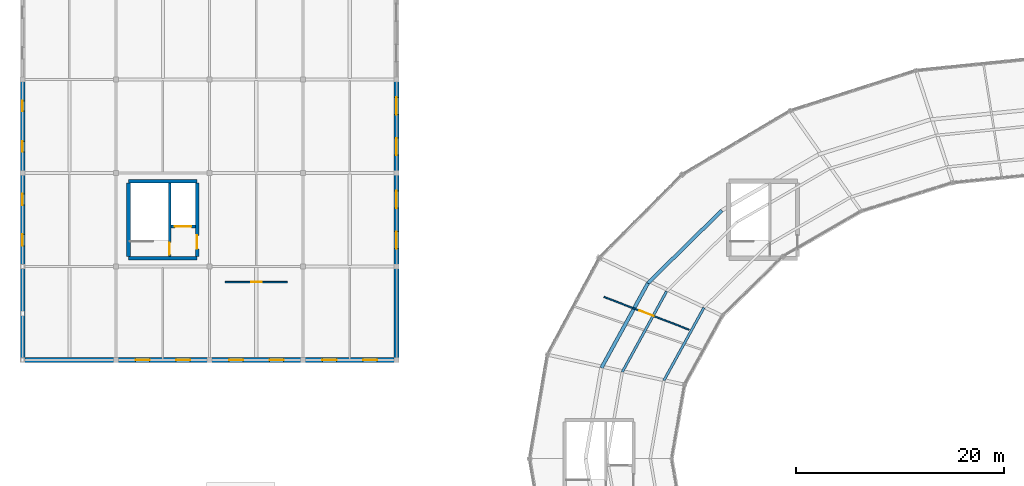
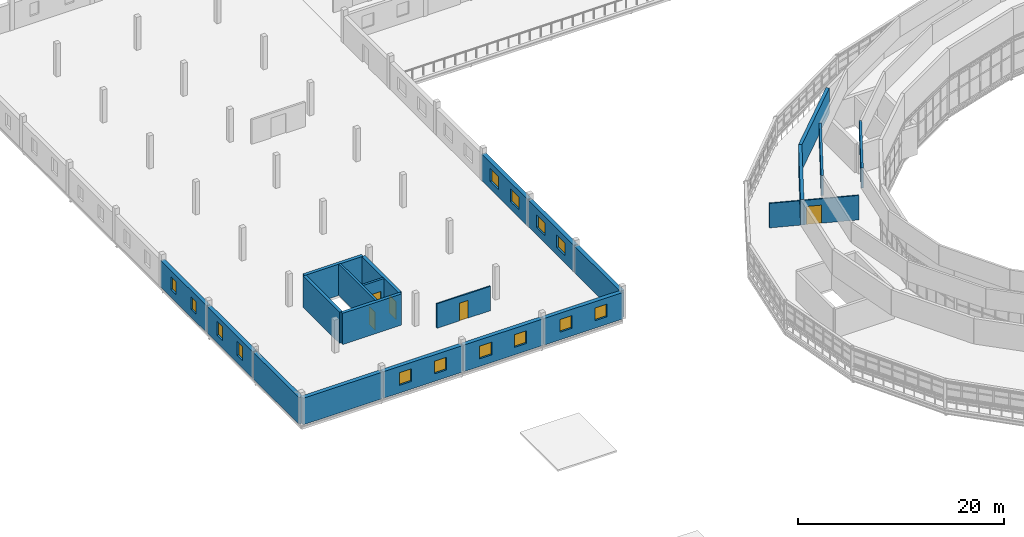
# One storey, part 101 of 123: 22 walls, 14 windows, 5 doors, 19 openings.
"""IFC4 building model written with IfcOpenShell, lengths in metres."""

import ifcopenshell
import ifcopenshell.guid

model = None  # the IFC model being written
_history = None  # IfcOwnerHistory: only IFC2X3 demands one
_inside = {}  # id of a spatial element -> (the spatial element, [elements in it])
_under = {}  # id of a project, library or spatial element -> (it, [spatial elements below it])
_declared = {}  # id of a project -> (the project, [libraries it declares])
_typed = {}  # id of a type object -> (the type object, [elements of that type])
_made_of = {}  # id of a material, layer set ... -> (it, [elements and type objects made of it])


def new_model(schema):
    """Start an empty IFC model of exactly this schema.

    Asked for "IFC4X3", IfcOpenShell would pick the latest addendum, in which some entities
    have other attributes; the version numbers below select the first issue.
    IFC2X3 requires an IfcOwnerHistory on every rooted entity: one is made here for all.
    """
    global model, _history
    if schema == "IFC4X3":
        model = ifcopenshell.file(schema_version=(4, 3, 0, 0))
    else:
        model = ifcopenshell.file(schema=schema)
    _inside.clear()
    _under.clear()
    _declared.clear()
    _typed.clear()
    _made_of.clear()
    _history = None
    if model.schema == "IFC2X3":
        org = make("IfcOrganization", Name="unknown")
        user = make(
            "IfcPersonAndOrganization",
            ThePerson=make("IfcPerson", FamilyName="unknown"),
            TheOrganization=org,
        )
        app = make(
            "IfcApplication",
            ApplicationDeveloper=org,
            Version="unknown",
            ApplicationFullName="unknown",
            ApplicationIdentifier="unknown",
        )
        _history = make(
            "IfcOwnerHistory",
            OwningUser=user,
            OwningApplication=app,
            ChangeAction="ADDED",
            CreationDate=0,
        )
    return model


def make(cls, **values):
    """One entity of the class cls with the attributes given. An attribute that is None is left unset."""
    return model.create_entity(
        cls, **{name: value for name, value in values.items() if value is not None}
    )


def rooted(cls, **values):
    """An entity with a GlobalId (a new one), such as an element, a storey or a relation."""
    return make(cls, GlobalId=ifcopenshell.guid.new(), OwnerHistory=_history, **values)


def si_unit(unit_type, name, prefix=None):
    """IfcSIUnit, for example si_unit("LENGTHUNIT", "METRE", prefix="MILLI")."""
    return make("IfcSIUnit", UnitType=unit_type, Prefix=prefix, Name=name)


def assignment(units):
    """IfcUnitAssignment: the units of a project."""
    return None if units is None else make("IfcUnitAssignment", Units=units)


def point(xyz):
    """IfcCartesianPoint."""
    return None if xyz is None else make("IfcCartesianPoint", Coordinates=xyz)


def direction(xyz):
    """IfcDirection."""
    return None if xyz is None else make("IfcDirection", DirectionRatios=xyz)


def frame(location, z_axis=None, x_axis=None):
    """IfcAxis2Placement3D, a coordinate frame: its origin and axes. An axis left out is left unset."""
    return make(
        "IfcAxis2Placement3D",
        Location=point(location),
        Axis=direction(z_axis),
        RefDirection=direction(x_axis),
    )


def frame_2d(location, x_axis=None):
    """IfcAxis2Placement2D, a coordinate frame in the plane: its origin and x axis."""
    return make(
        "IfcAxis2Placement2D", Location=point(location), RefDirection=direction(x_axis)
    )


def origin():
    """The frame at (0, 0, 0) with its axes left unset."""
    return frame((0.0, 0.0, 0.0))


def place(relative_to, where):
    """IfcLocalPlacement: puts the frame where relative to a parent placement (None: the world)."""
    return make(
        "IfcLocalPlacement", PlacementRelTo=relative_to, RelativePlacement=where
    )


def context(
    kind, dimensions, precision=None, world=None, true_north=None, identifier=None
):
    """IfcGeometricRepresentationContext, for example the 3D "Model" context."""
    return make(
        "IfcGeometricRepresentationContext",
        ContextIdentifier=identifier,
        ContextType=kind,
        CoordinateSpaceDimension=dimensions,
        Precision=precision,
        WorldCoordinateSystem=world,
        TrueNorth=true_north,
    )


def subcontext(parent, identifier, kind, view, scale=None):
    """IfcGeometricRepresentationSubContext, for example "Body" below "Model"."""
    return make(
        "IfcGeometricRepresentationSubContext",
        ContextIdentifier=identifier,
        ContextType=kind,
        ParentContext=parent,
        TargetScale=scale,
        TargetView=view,
    )


def project(units=None, contexts=None):
    """IfcProject with its units and contexts."""
    return rooted(
        "IfcProject",
        Name="project",
        RepresentationContexts=contexts,
        UnitsInContext=assignment(units),
    )


def spatial(cls, under=None, at=None, **own):
    """A site, building, storey or space (cls), placed at a placement, below another one or the project."""
    s = rooted(cls, ObjectPlacement=at, **own)
    if under is not None:
        _under.setdefault(under.id(), (under, []))[1].append(s)
    return s


def profile(cls, at=None, kind="AREA", **sizes):
    """A parametric profile (cls). Its sizes go by their IFC names, for example OverallWidth=200.0."""
    return make(cls, ProfileType=kind, Position=at, **sizes)


def rectangle(**sizes):
    """IfcRectangleProfileDef."""
    return profile("IfcRectangleProfileDef", **sizes)


def extrude(swept, where, along, depth):
    """IfcExtrudedAreaSolid: the profile swept, set in the frame where, extruded along a direction by depth."""
    return make(
        "IfcExtrudedAreaSolid",
        SweptArea=swept,
        Position=where,
        ExtrudedDirection=direction(along),
        Depth=depth,
    )


def shape(context_of_items, identifier, shape_type, items):
    """IfcShapeRepresentation: the items that make up one representation, for example the "Body"."""
    return make(
        "IfcShapeRepresentation",
        ContextOfItems=context_of_items,
        RepresentationIdentifier=identifier,
        RepresentationType=shape_type,
        Items=items,
    )


def material(Name=None, Category=None):
    """IfcMaterial."""
    return make("IfcMaterial", Name=Name, Category=Category)


def layer(
    of_material, thickness, ventilated=None, Name=None, Category=None, Priority=None
):
    """IfcMaterialLayer: one layer of a wall or slab, of a material (None: an air gap)."""
    return make(
        "IfcMaterialLayer",
        Material=of_material,
        LayerThickness=thickness,
        IsVentilated=ventilated,
        Name=Name,
        Category=Category,
        Priority=Priority,
    )


def layer_set(layers, Name=None):
    """IfcMaterialLayerSet."""
    return make("IfcMaterialLayerSet", MaterialLayers=layers, LayerSetName=Name)


def made_of(thing, what):
    """Note that an element or type object is made of a material, layer set ...; save() writes the relation."""
    if what is not None:
        _made_of.setdefault(what.id(), (what, []))[1].append(thing)
    return thing


def type_object(cls, material=None, **own):
    """A type object (cls), such as IfcWallType, which elements share."""
    return made_of(rooted(cls, **own), material)


def element(
    cls,
    number,
    at=None,
    inside=None,
    cuts=None,
    type_object=None,
    material=None,
    context=None,
    identifier="Body",
    shape_type=None,
    held_by="IfcProductDefinitionShape",
    body=None,
    shapes=None,
    **own,
):
    """One element of the class cls, such as IfcWall. Its Tag is "e" and its number.

    at: its placement. inside: the storey or other place that contains it. cuts: it is an
    opening in that element (IfcRelVoidsElement). A single representation is given by context,
    identifier, shape_type and body (its items); several are given by shapes. held_by: the class
    of the entity that holds the representations. save() writes the other relations.
    """
    e = rooted(cls, Tag="e%d" % number, ObjectPlacement=at, **own)
    if body is not None:
        shapes = [shape(context, identifier, shape_type, body)]
    if shapes is not None:
        e.Representation = make(held_by, Representations=shapes)
    if inside is not None:
        _inside.setdefault(inside.id(), (inside, []))[1].append(e)
    if cuts is not None:
        rooted(
            "IfcRelVoidsElement", RelatingBuildingElement=cuts, RelatedOpeningElement=e
        )
    if type_object is not None:
        _typed.setdefault(type_object.id(), (type_object, []))[1].append(e)
    return made_of(e, material)


def fill(opening, filler):
    """IfcRelFillsElement: the door or window that sits in an opening."""
    return rooted(
        "IfcRelFillsElement",
        RelatingOpeningElement=opening,
        RelatedBuildingElement=filler,
    )


def aggregate(whole, parts):
    """IfcRelAggregates: a whole, such as a stair, and the parts it consists of."""
    return rooted("IfcRelAggregates", RelatingObject=whole, RelatedObjects=parts)


def save(model, path):
    """Write the relations noted so far, then the file.

    IfcRelAggregates (storeys below a building ...), IfcRelContainedInSpatialStructure (elements
    in a storey), IfcRelDefinesByType, IfcRelAssociatesMaterial and IfcRelDeclares: one each for
    every whole, place, type object, material and project.
    """
    for whole, parts in _under.values():
        aggregate(whole, parts)
    for where, things in _inside.values():
        rooted(
            "IfcRelContainedInSpatialStructure",
            RelatedElements=things,
            RelatingStructure=where,
        )
    for kind, things in _typed.values():
        rooted("IfcRelDefinesByType", RelatedObjects=things, RelatingType=kind)
    for what, things in _made_of.values():
        rooted("IfcRelAssociatesMaterial", RelatedObjects=things, RelatingMaterial=what)
    for by, libraries in _declared.values():
        rooted("IfcRelDeclares", RelatingContext=by, RelatedDefinitions=libraries)
    model.write(path)


model = new_model("IFC4")

# Units and contexts
model_context = context("Model", 3, precision=1e-05, world=origin(), true_north=direction((0.0, 1.0)))
body_context = subcontext(model_context, "Body", "Model", "MODEL_VIEW")
ifc_project = project(units=[si_unit("LENGTHUNIT", "METRE"), si_unit("AREAUNIT", "SQUARE_METRE"), si_unit("VOLUMEUNIT", "CUBIC_METRE"), si_unit("PLANEANGLEUNIT", "RADIAN"), si_unit("MASSUNIT", "GRAM", prefix="KILO")], contexts=[model_context])

# Site, building, storey
site_placement = place(None, origin())
site = spatial("IfcSite", under=ifc_project, at=site_placement, CompositionType="ELEMENT")
building_placement = place(site_placement, origin())
building = spatial("IfcBuilding", under=site, at=building_placement, Name="Kildeholm Park Wholesale Market", CompositionType="ELEMENT")
storey_placement = place(building_placement, frame((0.0, 0.0, 9.60009765625)))
storey = spatial("IfcBuildingStorey", under=building, at=storey_placement, Name="L02", CompositionType="ELEMENT", Elevation=9.60009765625)

# Wall
ifc_material_1 = material(Name="Precast concrete C40/50 ripening envelope wall", Category="concrete")
ifc_layer_1 = layer(ifc_material_1, 0.449951171875)
ifc_layer_set_1 = layer_set([ifc_layer_1], Name="Precast concrete C40/50 ripening envelope wall")
wall_type_1 = type_object("IfcWallType", Name="Exterior wall W-CS3 450 mm", PredefinedType="SOLIDWALL", material=ifc_layer_set_1)
wall_1_placement = place(storey_placement, frame((0.0, 99.06005859375, 0.0), z_axis=(0.0, 0.0, 1.0), x_axis=(0.0, 1.0, 0.0)))
element("IfcWall", 1, at=wall_1_placement, inside=storey, type_object=wall_type_1, Name="Exterior wall V4W-L02.1 WL-0393", PredefinedType="SOLIDWALL", context=body_context, shape_type="SweptSolid", body=[
    extrude(rectangle(XDim=8.8798828125, YDim=0.449951171875, at=frame_2d((4.43994140625, 0.0))), origin(), (0.0, 0.0, 1.0), 3.14990234375),
])

# Wall, openings, windows
wall_2_placement = place(storey_placement, frame((0.0, 108.06005859375, 0.0), z_axis=(0.0, 0.0, 1.0), x_axis=(0.0, 1.0, 0.0)))
wall_2 = element("IfcWall", 2, at=wall_2_placement, inside=storey, type_object=wall_type_1, Name="Exterior wall V4W-L02.2 WL-0394", PredefinedType="SOLIDWALL", context=body_context, shape_type="SweptSolid", body=[
    extrude(rectangle(XDim=8.8798828125, YDim=0.449951171875, at=frame_2d((4.43994140625, 0.0))), origin(), (0.0, 0.0, 1.0), 3.14990234375),
])
opening_1_placement = place(wall_2_placement, frame((1.93603515625, 0.0, 0.89990234375)))
opening_1 = element("IfcOpeningElement", 3, at=opening_1_placement, cuts=wall_2, Name="Opening WN-19", PredefinedType="OPENING", context=body_context, shape_type="SweptSolid", body=[
    extrude(rectangle(XDim=1.10009765625, YDim=1.64990234375, at=frame_2d((0.550048828125, 0.824951171875))), frame((0.0, 0.23486328125, 0.0), z_axis=(0.0, -1.0, 0.0), x_axis=(1.0, 0.0, 0.0)), (0.0, 0.0, 1.0), 0.469970703125),
])
opening_2_placement = place(wall_2_placement, frame((5.843994140625, 0.0, 0.89990234375)))
opening_2 = element("IfcOpeningElement", 4, at=opening_2_placement, cuts=wall_2, Name="Opening WN-19", PredefinedType="OPENING", context=body_context, shape_type="SweptSolid", body=[
    extrude(rectangle(XDim=1.10009765625, YDim=1.64990234375, at=frame_2d((0.550048828125, 0.824951171875))), frame((0.0, 0.23486328125, 0.0), z_axis=(0.0, -1.0, 0.0), x_axis=(1.0, 0.0, 0.0)), (0.0, 0.0, 1.0), 0.469970703125),
])
ifc_material_2 = material(Name="Thermally broken aluminium and triple-glazed low-E glass", Category="aluminium")
window_type_1 = type_object("IfcWindowType", Name="Window WN-19 1100x1650", PartitioningType="SINGLE_PANEL", PredefinedType="WINDOW", material=ifc_material_2)
window_1_placement = place(opening_1_placement, origin())
window_1 = element("IfcWindow", 5, at=window_1_placement, inside=storey, type_object=window_type_1, Name="Window V4W-L02.2.1 WIN-0181", OverallHeight=1.64990234375, OverallWidth=1.10009765625, PartitioningType="SINGLE_PANEL", PredefinedType="WINDOW", context=body_context, shape_type="SweptSolid", body=[
    extrude(rectangle(XDim=1.10009765625, YDim=1.64990234375, at=frame_2d((0.550048828125, 0.824951171875))), frame((0.0, 0.030029296875, 0.0), z_axis=(0.0, -1.0, 0.0), x_axis=(1.0, 0.0, 0.0)), (0.0, 0.0, 1.0), 0.06005859375),
])
fill(opening_1, window_1)
window_2_placement = place(opening_2_placement, origin())
window_2 = element("IfcWindow", 6, at=window_2_placement, inside=storey, type_object=window_type_1, Name="Window V4W-L02.2.2 WIN-0182", OverallHeight=1.64990234375, OverallWidth=1.10009765625, PartitioningType="SINGLE_PANEL", PredefinedType="WINDOW", context=body_context, shape_type="SweptSolid", body=[
    extrude(rectangle(XDim=1.10009765625, YDim=1.64990234375, at=frame_2d((0.550048828125, 0.824951171875))), frame((0.0, 0.030029296875, 0.0), z_axis=(0.0, -1.0, 0.0), x_axis=(1.0, 0.0, 0.0)), (0.0, 0.0, 1.0), 0.06005859375),
])
fill(opening_2, window_2)

wall_3_placement = place(storey_placement, frame((0.0, 117.06005859375, 0.0), z_axis=(0.0, 0.0, 1.0), x_axis=(0.0, 1.0, 0.0)))
wall_3 = element("IfcWall", 7, at=wall_3_placement, inside=storey, type_object=wall_type_1, Name="Exterior wall V4W-L02.3 WL-0395", PredefinedType="SOLIDWALL", context=body_context, shape_type="SweptSolid", body=[
    extrude(rectangle(XDim=8.8798828125, YDim=0.449951171875, at=frame_2d((4.43994140625, 0.0))), origin(), (0.0, 0.0, 1.0), 3.14990234375),
])
opening_3_placement = place(wall_3_placement, frame((1.986083984375, 0.0, 0.89990234375)))
opening_3 = element("IfcOpeningElement", 8, at=opening_3_placement, cuts=wall_3, Name="Opening WN-09", PredefinedType="OPENING", context=body_context, shape_type="SweptSolid", body=[
    extrude(rectangle(XDim=1.0, YDim=1.5, at=frame_2d((0.5, 0.75))), frame((0.0, 0.23486328125, 0.0), z_axis=(0.0, -1.0, 0.0), x_axis=(1.0, 0.0, 0.0)), (0.0, 0.0, 1.0), 0.469970703125),
])
opening_4_placement = place(wall_3_placement, frame((5.89404296875, 0.0, 0.89990234375)))
opening_4 = element("IfcOpeningElement", 9, at=opening_4_placement, cuts=wall_3, Name="Opening WN-09", PredefinedType="OPENING", context=body_context, shape_type="SweptSolid", body=[
    extrude(rectangle(XDim=1.0, YDim=1.5, at=frame_2d((0.5, 0.75))), frame((0.0, 0.23486328125, 0.0), z_axis=(0.0, -1.0, 0.0), x_axis=(1.0, 0.0, 0.0)), (0.0, 0.0, 1.0), 0.469970703125),
])
window_type_2 = type_object("IfcWindowType", Name="Window WN-09 1000x1500", PartitioningType="SINGLE_PANEL", PredefinedType="WINDOW", material=ifc_material_2)
window_3_placement = place(opening_3_placement, origin())
window_3 = element("IfcWindow", 10, at=window_3_placement, inside=storey, type_object=window_type_2, Name="Window V4W-L02.3.1 WIN-0183", OverallHeight=1.5, OverallWidth=1.0, PartitioningType="SINGLE_PANEL", PredefinedType="WINDOW", context=body_context, shape_type="SweptSolid", body=[
    extrude(rectangle(XDim=1.0, YDim=1.5, at=frame_2d((0.5, 0.75))), frame((0.0, 0.030029296875, 0.0), z_axis=(0.0, -1.0, 0.0), x_axis=(1.0, 0.0, 0.0)), (0.0, 0.0, 1.0), 0.06005859375),
])
fill(opening_3, window_3)
window_4_placement = place(opening_4_placement, origin())
window_4 = element("IfcWindow", 11, at=window_4_placement, inside=storey, type_object=window_type_2, Name="Window V4W-L02.3.2 WIN-0184", OverallHeight=1.5, OverallWidth=1.0, PartitioningType="SINGLE_PANEL", PredefinedType="WINDOW", context=body_context, shape_type="SweptSolid", body=[
    extrude(rectangle(XDim=1.0, YDim=1.5, at=frame_2d((0.5, 0.75))), frame((0.0, 0.030029296875, 0.0), z_axis=(0.0, -1.0, 0.0), x_axis=(1.0, 0.0, 0.0)), (0.0, 0.0, 1.0), 0.06005859375),
])
fill(opening_4, window_4)

# Wall
wall_4_placement = place(storey_placement, frame((0.06005859375, 99.0, 0.0), z_axis=(0.0, 0.0, 1.0), x_axis=(1.0, 0.0, 0.0)))
element("IfcWall", 12, at=wall_4_placement, inside=storey, type_object=wall_type_1, Name="Exterior wall V4WS-L02.1 WL-0409", PredefinedType="SOLIDWALL", context=body_context, shape_type="SweptSolid", body=[
    extrude(rectangle(XDim=8.8798828125, YDim=0.449951171875, at=frame_2d((4.43994140625, 0.0))), origin(), (0.0, 0.0, 1.0), 3.14990234375),
])

# Wall, openings, windows
wall_5_placement = place(storey_placement, frame((9.06005859375, 99.0, 0.0), z_axis=(0.0, 0.0, 1.0), x_axis=(1.0, 0.0, 0.0)))
wall_5 = element("IfcWall", 13, at=wall_5_placement, inside=storey, type_object=wall_type_1, Name="Exterior wall V4WS-L02.2 WL-0410", PredefinedType="SOLIDWALL", context=body_context, shape_type="SweptSolid", body=[
    extrude(rectangle(XDim=8.8798828125, YDim=0.449951171875, at=frame_2d((4.43994140625, 0.0))), origin(), (0.0, 0.0, 1.0), 3.14990234375),
])
opening_5_placement = place(wall_5_placement, frame((1.81103515625, 0.0, 0.89990234375)))
opening_5 = element("IfcOpeningElement", 14, at=opening_5_placement, cuts=wall_5, Name="Opening WN-10", PredefinedType="OPENING", context=body_context, shape_type="SweptSolid", body=[
    extrude(rectangle(XDim=1.35009765625, YDim=1.5, at=frame_2d((0.675048828125, 0.75))), frame((0.0, 0.23486328125, 0.0), z_axis=(0.0, -1.0, 0.0), x_axis=(1.0, 0.0, 0.0)), (0.0, 0.0, 1.0), 0.469970703125),
])
opening_6_placement = place(wall_5_placement, frame((5.718994140625, 0.0, 0.89990234375)))
opening_6 = element("IfcOpeningElement", 15, at=opening_6_placement, cuts=wall_5, Name="Opening WN-10", PredefinedType="OPENING", context=body_context, shape_type="SweptSolid", body=[
    extrude(rectangle(XDim=1.35009765625, YDim=1.5, at=frame_2d((0.675048828125, 0.75))), frame((0.0, 0.23486328125, 0.0), z_axis=(0.0, -1.0, 0.0), x_axis=(1.0, 0.0, 0.0)), (0.0, 0.0, 1.0), 0.469970703125),
])
window_type_3 = type_object("IfcWindowType", Name="Window WN-10 1350x1500", PartitioningType="SINGLE_PANEL", PredefinedType="WINDOW", material=ifc_material_2)
window_5_placement = place(opening_5_placement, origin())
window_5 = element("IfcWindow", 16, at=window_5_placement, inside=storey, type_object=window_type_3, Name="Window V4WS-L02.2.1 WIN-0201", OverallHeight=1.5, OverallWidth=1.35009765625, PartitioningType="SINGLE_PANEL", PredefinedType="WINDOW", context=body_context, shape_type="SweptSolid", body=[
    extrude(rectangle(XDim=1.35009765625, YDim=1.5, at=frame_2d((0.675048828125, 0.75))), frame((0.0, 0.030029296875, 0.0), z_axis=(0.0, -1.0, 0.0), x_axis=(1.0, 0.0, 0.0)), (0.0, 0.0, 1.0), 0.06005859375),
])
fill(opening_5, window_5)
window_6_placement = place(opening_6_placement, origin())
window_6 = element("IfcWindow", 17, at=window_6_placement, inside=storey, type_object=window_type_3, Name="Window V4WS-L02.2.2 WIN-0202", OverallHeight=1.5, OverallWidth=1.35009765625, PartitioningType="SINGLE_PANEL", PredefinedType="WINDOW", context=body_context, shape_type="SweptSolid", body=[
    extrude(rectangle(XDim=1.35009765625, YDim=1.5, at=frame_2d((0.675048828125, 0.75))), frame((0.0, 0.030029296875, 0.0), z_axis=(0.0, -1.0, 0.0), x_axis=(1.0, 0.0, 0.0)), (0.0, 0.0, 1.0), 0.06005859375),
])
fill(opening_6, window_6)

wall_6_placement = place(storey_placement, frame((18.06005859375, 99.0, 0.0), z_axis=(0.0, 0.0, 1.0), x_axis=(1.0, 0.0, 0.0)))
wall_6 = element("IfcWall", 18, at=wall_6_placement, inside=storey, type_object=wall_type_1, Name="Exterior wall V4WS-L02.3 WL-0411", PredefinedType="SOLIDWALL", context=body_context, shape_type="SweptSolid", body=[
    extrude(rectangle(XDim=8.8798828125, YDim=0.449951171875, at=frame_2d((4.43994140625, 0.0))), origin(), (0.0, 0.0, 1.0), 3.14990234375),
])
opening_7_placement = place(wall_6_placement, frame((1.81103515625, 0.0, 0.89990234375)))
opening_7 = element("IfcOpeningElement", 19, at=opening_7_placement, cuts=wall_6, Name="Opening WN-10", PredefinedType="OPENING", context=body_context, shape_type="SweptSolid", body=[
    extrude(rectangle(XDim=1.35009765625, YDim=1.5, at=frame_2d((0.675048828125, 0.75))), frame((0.0, 0.23486328125, 0.0), z_axis=(0.0, -1.0, 0.0), x_axis=(1.0, 0.0, 0.0)), (0.0, 0.0, 1.0), 0.469970703125),
])
opening_8_placement = place(wall_6_placement, frame((5.718994140625, 0.0, 0.89990234375)))
opening_8 = element("IfcOpeningElement", 20, at=opening_8_placement, cuts=wall_6, Name="Opening WN-10", PredefinedType="OPENING", context=body_context, shape_type="SweptSolid", body=[
    extrude(rectangle(XDim=1.35009765625, YDim=1.5, at=frame_2d((0.675048828125, 0.75))), frame((0.0, 0.23486328125, 0.0), z_axis=(0.0, -1.0, 0.0), x_axis=(1.0, 0.0, 0.0)), (0.0, 0.0, 1.0), 0.469970703125),
])
window_7_placement = place(opening_7_placement, origin())
window_7 = element("IfcWindow", 21, at=window_7_placement, inside=storey, type_object=window_type_3, Name="Window V4WS-L02.3.1 WIN-0203", OverallHeight=1.5, OverallWidth=1.35009765625, PartitioningType="SINGLE_PANEL", PredefinedType="WINDOW", context=body_context, shape_type="SweptSolid", body=[
    extrude(rectangle(XDim=1.35009765625, YDim=1.5, at=frame_2d((0.675048828125, 0.75))), frame((0.0, 0.030029296875, 0.0), z_axis=(0.0, -1.0, 0.0), x_axis=(1.0, 0.0, 0.0)), (0.0, 0.0, 1.0), 0.06005859375),
])
fill(opening_7, window_7)
window_8_placement = place(opening_8_placement, origin())
window_8 = element("IfcWindow", 22, at=window_8_placement, inside=storey, type_object=window_type_3, Name="Window V4WS-L02.3.2 WIN-0204", OverallHeight=1.5, OverallWidth=1.35009765625, PartitioningType="SINGLE_PANEL", PredefinedType="WINDOW", context=body_context, shape_type="SweptSolid", body=[
    extrude(rectangle(XDim=1.35009765625, YDim=1.5, at=frame_2d((0.675048828125, 0.75))), frame((0.0, 0.030029296875, 0.0), z_axis=(0.0, -1.0, 0.0), x_axis=(1.0, 0.0, 0.0)), (0.0, 0.0, 1.0), 0.06005859375),
])
fill(opening_8, window_8)

wall_7_placement = place(storey_placement, frame((27.06005859375, 99.0, 0.0), z_axis=(0.0, 0.0, 1.0), x_axis=(1.0, 0.0, 0.0)))
wall_7 = element("IfcWall", 23, at=wall_7_placement, inside=storey, type_object=wall_type_1, Name="Exterior wall V4WS-L02.4 WL-0412", PredefinedType="SOLIDWALL", context=body_context, shape_type="SweptSolid", body=[
    extrude(rectangle(XDim=8.8798828125, YDim=0.449951171875, at=frame_2d((4.43994140625, 0.0))), origin(), (0.0, 0.0, 1.0), 3.14990234375),
])
opening_9_placement = place(wall_7_placement, frame((1.81103515625, 0.0, 0.89990234375)))
opening_9 = element("IfcOpeningElement", 24, at=opening_9_placement, cuts=wall_7, Name="Opening WN-10", PredefinedType="OPENING", context=body_context, shape_type="SweptSolid", body=[
    extrude(rectangle(XDim=1.35009765625, YDim=1.5, at=frame_2d((0.675048828125, 0.75))), frame((0.0, 0.23486328125, 0.0), z_axis=(0.0, -1.0, 0.0), x_axis=(1.0, 0.0, 0.0)), (0.0, 0.0, 1.0), 0.469970703125),
])
opening_10_placement = place(wall_7_placement, frame((5.718994140625, 0.0, 0.89990234375)))
opening_10 = element("IfcOpeningElement", 25, at=opening_10_placement, cuts=wall_7, Name="Opening WN-10", PredefinedType="OPENING", context=body_context, shape_type="SweptSolid", body=[
    extrude(rectangle(XDim=1.35009765625, YDim=1.5, at=frame_2d((0.675048828125, 0.75))), frame((0.0, 0.23486328125, 0.0), z_axis=(0.0, -1.0, 0.0), x_axis=(1.0, 0.0, 0.0)), (0.0, 0.0, 1.0), 0.469970703125),
])
window_9_placement = place(opening_9_placement, origin())
window_9 = element("IfcWindow", 26, at=window_9_placement, inside=storey, type_object=window_type_3, Name="Window V4WS-L02.4.1 WIN-0205", OverallHeight=1.5, OverallWidth=1.35009765625, PartitioningType="SINGLE_PANEL", PredefinedType="WINDOW", context=body_context, shape_type="SweptSolid", body=[
    extrude(rectangle(XDim=1.35009765625, YDim=1.5, at=frame_2d((0.675048828125, 0.75))), frame((0.0, 0.030029296875, 0.0), z_axis=(0.0, -1.0, 0.0), x_axis=(1.0, 0.0, 0.0)), (0.0, 0.0, 1.0), 0.06005859375),
])
fill(opening_9, window_9)
window_10_placement = place(opening_10_placement, origin())
window_10 = element("IfcWindow", 27, at=window_10_placement, inside=storey, type_object=window_type_3, Name="Window V4WS-L02.4.2 WIN-0206", OverallHeight=1.5, OverallWidth=1.35009765625, PartitioningType="SINGLE_PANEL", PredefinedType="WINDOW", context=body_context, shape_type="SweptSolid", body=[
    extrude(rectangle(XDim=1.35009765625, YDim=1.5, at=frame_2d((0.675048828125, 0.75))), frame((0.0, 0.030029296875, 0.0), z_axis=(0.0, -1.0, 0.0), x_axis=(1.0, 0.0, 0.0)), (0.0, 0.0, 1.0), 0.06005859375),
])
fill(opening_10, window_10)

# Wall
wall_8_placement = place(storey_placement, frame((36.0, 99.06005859375, 0.0), z_axis=(0.0, 0.0, 1.0), x_axis=(0.0, 1.0, 0.0)))
element("IfcWall", 28, at=wall_8_placement, inside=storey, type_object=wall_type_1, Name="Exterior wall V4WE-L02.1 WL-0423", PredefinedType="SOLIDWALL", context=body_context, shape_type="SweptSolid", body=[
    extrude(rectangle(XDim=8.8798828125, YDim=0.449951171875, at=frame_2d((4.43994140625, 0.0))), origin(), (0.0, 0.0, 1.0), 3.14990234375),
])

# Wall, openings, windows
wall_9_placement = place(storey_placement, frame((36.0, 108.06005859375, 0.0), z_axis=(0.0, 0.0, 1.0), x_axis=(0.0, 1.0, 0.0)))
wall_9 = element("IfcWall", 29, at=wall_9_placement, inside=storey, type_object=wall_type_1, Name="Exterior wall V4WE-L02.2 WL-0424", PredefinedType="SOLIDWALL", context=body_context, shape_type="SweptSolid", body=[
    extrude(rectangle(XDim=8.8798828125, YDim=0.449951171875, at=frame_2d((4.43994140625, 0.0))), origin(), (0.0, 0.0, 1.0), 3.14990234375),
])
opening_11_placement = place(wall_9_placement, frame((1.660888671875, 0.0, 0.89990234375)))
opening_11 = element("IfcOpeningElement", 30, at=opening_11_placement, cuts=wall_9, Name="Opening WN-11", PredefinedType="OPENING", context=body_context, shape_type="SweptSolid", body=[
    extrude(rectangle(XDim=1.64990234375, YDim=1.5, at=frame_2d((0.824951171875, 0.75))), frame((0.0, 0.23486328125, 0.0), z_axis=(0.0, -1.0, 0.0), x_axis=(1.0, 0.0, 0.0)), (0.0, 0.0, 1.0), 0.469970703125),
])
opening_12_placement = place(wall_9_placement, frame((5.569091796875, 0.0, 0.89990234375)))
opening_12 = element("IfcOpeningElement", 31, at=opening_12_placement, cuts=wall_9, Name="Opening WN-11", PredefinedType="OPENING", context=body_context, shape_type="SweptSolid", body=[
    extrude(rectangle(XDim=1.64990234375, YDim=1.5, at=frame_2d((0.824951171875, 0.75))), frame((0.0, 0.23486328125, 0.0), z_axis=(0.0, -1.0, 0.0), x_axis=(1.0, 0.0, 0.0)), (0.0, 0.0, 1.0), 0.469970703125),
])
window_type_4 = type_object("IfcWindowType", Name="Window WN-11 1650x1500", PartitioningType="DOUBLE_PANEL_VERTICAL", PredefinedType="WINDOW", material=ifc_material_2)
window_11_placement = place(opening_11_placement, origin())
window_11 = element("IfcWindow", 32, at=window_11_placement, inside=storey, type_object=window_type_4, Name="Window V4WE-L02.2.1 WIN-0215", OverallHeight=1.5, OverallWidth=1.64990234375, PartitioningType="SINGLE_PANEL", PredefinedType="WINDOW", context=body_context, shape_type="SweptSolid", body=[
    extrude(rectangle(XDim=1.64990234375, YDim=1.5, at=frame_2d((0.824951171875, 0.75))), frame((0.0, 0.030029296875, 0.0), z_axis=(0.0, -1.0, 0.0), x_axis=(1.0, 0.0, 0.0)), (0.0, 0.0, 1.0), 0.06005859375),
])
fill(opening_11, window_11)
window_12_placement = place(opening_12_placement, origin())
window_12 = element("IfcWindow", 33, at=window_12_placement, inside=storey, type_object=window_type_4, Name="Window V4WE-L02.2.2 WIN-0216", OverallHeight=1.5, OverallWidth=1.64990234375, PartitioningType="SINGLE_PANEL", PredefinedType="WINDOW", context=body_context, shape_type="SweptSolid", body=[
    extrude(rectangle(XDim=1.64990234375, YDim=1.5, at=frame_2d((0.824951171875, 0.75))), frame((0.0, 0.030029296875, 0.0), z_axis=(0.0, -1.0, 0.0), x_axis=(1.0, 0.0, 0.0)), (0.0, 0.0, 1.0), 0.06005859375),
])
fill(opening_12, window_12)

wall_10_placement = place(storey_placement, frame((36.0, 117.06005859375, 0.0), z_axis=(0.0, 0.0, 1.0), x_axis=(0.0, 1.0, 0.0)))
wall_10 = element("IfcWall", 34, at=wall_10_placement, inside=storey, type_object=wall_type_1, Name="Exterior wall V4WE-L02.3 WL-0425", PredefinedType="SOLIDWALL", context=body_context, shape_type="SweptSolid", body=[
    extrude(rectangle(XDim=8.8798828125, YDim=0.449951171875, at=frame_2d((4.43994140625, 0.0))), origin(), (0.0, 0.0, 1.0), 3.14990234375),
])
opening_13_placement = place(wall_10_placement, frame((1.660888671875, 0.0, 0.89990234375)))
opening_13 = element("IfcOpeningElement", 35, at=opening_13_placement, cuts=wall_10, Name="Opening WN-11", PredefinedType="OPENING", context=body_context, shape_type="SweptSolid", body=[
    extrude(rectangle(XDim=1.64990234375, YDim=1.5, at=frame_2d((0.824951171875, 0.75))), frame((0.0, 0.23486328125, 0.0), z_axis=(0.0, -1.0, 0.0), x_axis=(1.0, 0.0, 0.0)), (0.0, 0.0, 1.0), 0.469970703125),
])
opening_14_placement = place(wall_10_placement, frame((5.569091796875, 0.0, 0.89990234375)))
opening_14 = element("IfcOpeningElement", 36, at=opening_14_placement, cuts=wall_10, Name="Opening WN-11", PredefinedType="OPENING", context=body_context, shape_type="SweptSolid", body=[
    extrude(rectangle(XDim=1.64990234375, YDim=1.5, at=frame_2d((0.824951171875, 0.75))), frame((0.0, 0.23486328125, 0.0), z_axis=(0.0, -1.0, 0.0), x_axis=(1.0, 0.0, 0.0)), (0.0, 0.0, 1.0), 0.469970703125),
])
window_13_placement = place(opening_13_placement, origin())
window_13 = element("IfcWindow", 37, at=window_13_placement, inside=storey, type_object=window_type_4, Name="Window V4WE-L02.3.1 WIN-0217", OverallHeight=1.5, OverallWidth=1.64990234375, PartitioningType="SINGLE_PANEL", PredefinedType="WINDOW", context=body_context, shape_type="SweptSolid", body=[
    extrude(rectangle(XDim=1.64990234375, YDim=1.5, at=frame_2d((0.824951171875, 0.75))), frame((0.0, 0.030029296875, 0.0), z_axis=(0.0, -1.0, 0.0), x_axis=(1.0, 0.0, 0.0)), (0.0, 0.0, 1.0), 0.06005859375),
])
fill(opening_13, window_13)
window_14_placement = place(opening_14_placement, origin())
window_14 = element("IfcWindow", 38, at=window_14_placement, inside=storey, type_object=window_type_4, Name="Window V4WE-L02.3.2 WIN-0218", OverallHeight=1.5, OverallWidth=1.64990234375, PartitioningType="SINGLE_PANEL", PredefinedType="WINDOW", context=body_context, shape_type="SweptSolid", body=[
    extrude(rectangle(XDim=1.64990234375, YDim=1.5, at=frame_2d((0.824951171875, 0.75))), frame((0.0, 0.030029296875, 0.0), z_axis=(0.0, -1.0, 0.0), x_axis=(1.0, 0.0, 0.0)), (0.0, 0.0, 1.0), 0.06005859375),
])
fill(opening_14, window_14)

# Walls
ifc_material_3 = material(Name="Precast concrete C40/50 architectural rainscreen wall", Category="concrete")
ifc_layer_2 = layer(ifc_material_3, 0.340087890625)
ifc_layer_set_2 = layer_set([ifc_layer_2], Name="Precast concrete C40/50 architectural rainscreen wall")
wall_type_2 = type_object("IfcWallType", Name="Exterior wall W-EX4 340 mm", PredefinedType="SOLIDWALL", material=ifc_layer_set_2)
wall_11_placement = place(storey_placement, frame((67.322021484375, 113.39990234375, 4.52978515625), z_axis=(0.0, 0.0, 1.0), x_axis=(-0.713096204455, -0.701066190307, 0.0)))
element("IfcWall", 39, at=wall_11_placement, inside=storey, type_object=wall_type_2, Name="Vault lantern clerestory wall 10 WL-0077", PredefinedType="SOLIDWALL", context=body_context, shape_type="SweptSolid", body=[
    extrude(rectangle(XDim=9.98486328125, YDim=0.340087890625, at=frame_2d((4.992431640625, 0.0))), origin(), (0.0, 0.0, 1.0), 3.02001953125),
])
wall_12_placement = place(storey_placement, frame((60.201904296875, 106.39990234375, 4.52978515625), z_axis=(0.0, 0.0, 1.0), x_axis=(-0.481203038707, -0.876609169208, 0.0)))
element("IfcWall", 40, at=wall_12_placement, inside=storey, type_object=wall_type_2, Name="Vault lantern clerestory wall 11 WL-0086", PredefinedType="SOLIDWALL", context=body_context, shape_type="SweptSolid", body=[
    extrude(rectangle(XDim=9.29931640625, YDim=0.340087890625, at=frame_2d((4.649658203125, 0.0))), origin(), (0.0, 0.0, 1.0), 3.02001953125),
])
wall_13_placement = place(storey_placement, frame((61.9990234375, 105.612060546875, 7.579833984375), z_axis=(0.0, 0.0, 1.0), x_axis=(-0.481354223541, -0.87652616132, 0.0)))
element("IfcWall", 41, at=wall_13_placement, inside=storey, type_object=wall_type_2, Name="Vault crown outer clerestory 11 WL-0088", PredefinedType="SOLIDWALL", context=body_context, shape_type="SweptSolid", body=[
    extrude(rectangle(XDim=8.86669921875, YDim=0.239990234375, at=frame_2d((4.433349609375, 0.0))), origin(), (0.0, 0.0, 1.0), 2.3701171875),
])
wall_14_placement = place(storey_placement, frame((65.593017578125, 104.037109375, 7.579833984375), z_axis=(0.0, 0.0, 1.0), x_axis=(-0.481658705075, -0.876358883007, 0.0)))
element("IfcWall", 42, at=wall_14_placement, inside=storey, type_object=wall_type_2, Name="Vault crown inner clerestory 11 WL-0089", PredefinedType="SOLIDWALL", context=body_context, shape_type="SweptSolid", body=[
    extrude(rectangle(XDim=8.00146484375, YDim=0.239990234375, at=frame_2d((4.000732421875, 0.0))), origin(), (0.0, 0.0, 1.0), 2.3701171875),
])

# Wall, opening, door
ifc_material_4 = material(Name="Fire-rated corridor and lobby partition")
ifc_layer_3 = layer(ifc_material_4, 0.14990234375)
ifc_layer_set_3 = layer_set([ifc_layer_3], Name="Fire-rated corridor and lobby partition")
wall_type_3 = type_object("IfcWallType", Name="Partition W-PT04 150 mm", PredefinedType="PARTITIONING", material=ifc_layer_set_3)
wall_15_placement = place(storey_placement, frame((19.5, 106.5, 0.0), z_axis=(0.0, 0.0, 1.0), x_axis=(1.0, 0.0, 0.0)))
wall_15 = element("IfcWall", 43, at=wall_15_placement, inside=storey, type_object=wall_type_3, Name="Interior partition W-V4-L02-WC WL-1000", PredefinedType="PARTITIONING", context=body_context, shape_type="SweptSolid", body=[
    extrude(rectangle(XDim=6.0, YDim=0.14990234375, at=frame_2d((3.0, 0.0))), origin(), (0.0, 0.0, 1.0), 2.89990234375),
])
opening_15_placement = place(wall_15_placement, frame((2.5, 0.0, 0.0)))
opening_15 = element("IfcOpeningElement", 44, at=opening_15_placement, cuts=wall_15, Name="Opening D-IN02", PredefinedType="OPENING", context=body_context, shape_type="SweptSolid", body=[
    extrude(rectangle(XDim=1.0, YDim=2.10009765625, at=frame_2d((0.5, 1.050048828125))), frame((0.0, 0.0849609375, 0.0), z_axis=(0.0, -1.0, 0.0), x_axis=(1.0, 0.0, 0.0)), (0.0, 0.0, 1.0), 0.169921875),
])
ifc_material_5 = material(Name="Hygienic laminate accessible WC doorset")
door_type_1 = type_object("IfcDoorType", Name="Interior door D-IN02 1000x2100", OperationType="NOTDEFINED", PredefinedType="DOOR", material=ifc_material_5)
door_1_placement = place(opening_15_placement, origin())
door_1 = element("IfcDoor", 45, at=door_1_placement, inside=storey, type_object=door_type_1, Name="Interior door V4-L02-WC DR-0275 WL-1000", OperationType="SINGLE_SWING_LEFT", OverallHeight=2.10009765625, OverallWidth=1.0, PredefinedType="DOOR", context=body_context, shape_type="SweptSolid", body=[
    extrude(rectangle(XDim=1.0, YDim=2.10009765625, at=frame_2d((0.5, 1.050048828125))), frame((0.0, 0.02490234375, 0.0), z_axis=(0.0, -1.0, 0.0), x_axis=(1.0, 0.0, 0.0)), (0.0, 0.0, 1.0), 0.050048828125),
])
fill(opening_15, door_1)

ifc_material_6 = material(Name="Glazed office and laboratory acoustic partition")
ifc_layer_4 = layer(ifc_material_6, 0.1298828125)
ifc_layer_set_4 = layer_set([ifc_layer_4], Name="Glazed office and laboratory acoustic partition")
wall_type_4 = type_object("IfcWallType", Name="Partition W-PT12 130 mm", PredefinedType="PARTITIONING", material=ifc_layer_set_4)
wall_16_placement = place(storey_placement, frame((64.169921875, 101.91796875, 0.0), z_axis=(0.0, 0.0, 1.0), x_axis=(-0.933238808021, 0.359256631399, 0.0)))
wall_16 = element("IfcWall", 46, at=wall_16_placement, inside=storey, type_object=wall_type_4, Name="Interior partition W-V1-ST2-10 WL-0941", PredefinedType="PARTITIONING", context=body_context, shape_type="SweptSolid", body=[
    extrude(rectangle(XDim=8.7822265625, YDim=0.1298828125, at=frame_2d((4.39111328125, 0.0))), origin(), (0.0, 0.0, 1.0), 2.89990234375),
])
opening_16_placement = place(wall_16_placement, frame((3.666015625, 0.0, 0.0)))
opening_16 = element("IfcOpeningElement", 47, at=opening_16_placement, cuts=wall_16, Name="Opening D-IN08", PredefinedType="OPENING", context=body_context, shape_type="SweptSolid", body=[
    extrude(rectangle(XDim=1.449951171875, YDim=2.14990234375, at=frame_2d((0.72509765625, 1.074951171875))), frame((0.0, 0.074951171875, 0.0), z_axis=(0.0, -1.0, 0.0), x_axis=(1.0, 0.0, 0.0)), (0.0, 0.0, 1.0), 0.14990234375),
])
ifc_material_7 = material(Name="Buyers exchange glazed doorset")
door_type_2 = type_object("IfcDoorType", Name="Interior door D-IN08 1450x2150", OperationType="NOTDEFINED", PredefinedType="DOOR", material=ifc_material_7)
door_2_placement = place(opening_16_placement, origin())
door_2 = element("IfcDoor", 48, at=door_2_placement, inside=storey, type_object=door_type_2, Name="Interior door V1-ST2-10 DR-0216 WL-0941", OperationType="SINGLE_SWING_RIGHT", OverallHeight=2.14990234375, OverallWidth=1.449951171875, PredefinedType="DOOR", context=body_context, shape_type="SweptSolid", body=[
    extrude(rectangle(XDim=1.449951171875, YDim=2.14990234375, at=frame_2d((0.72509765625, 1.074951171875))), frame((0.0, 0.02490234375, 0.0), z_axis=(0.0, -1.0, 0.0), x_axis=(1.0, 0.0, 0.0)), (0.0, 0.0, 1.0), 0.050048828125),
])
fill(opening_16, door_2)

ifc_material_8 = material(Name="Concrete C40/50", Category="concrete")
ifc_layer_5 = layer(ifc_material_8, 0.25)
ifc_layer_set_5 = layer_set([ifc_layer_5], Name="Concrete C40/50")
wall_type_5 = type_object("IfcWallType", Name="Shear wall W-SH2 250 mm", PredefinedType="SHEAR", material=ifc_layer_set_5)
wall_17_placement = place(storey_placement, frame((14.14990234375, 108.949951171875, 0.0), z_axis=(0.0, 0.0, 1.0), x_axis=(0.0, 1.0, 0.0)))
wall_17 = element("IfcWall", 49, at=wall_17_placement, inside=storey, type_object=wall_type_5, Name="Core C01 shaft wall L02 WL-0663", PredefinedType="SHEAR", context=body_context, shape_type="SweptSolid", body=[
    extrude(rectangle(XDim=7.10009765625, YDim=0.25, at=frame_2d((3.550048828125, 0.0))), origin(), (0.0, 0.0, 1.0), 3.699951171875),
])
opening_17_placement = place(wall_17_placement, frame((0.199951171875, 0.0, 0.0)))
opening_17 = element("IfcOpeningElement", 50, at=opening_17_placement, cuts=wall_17, Name="Opening D-CR01", PredefinedType="OPENING", context=body_context, shape_type="SweptSolid", body=[
    extrude(rectangle(XDim=1.14990234375, YDim=2.14990234375, at=frame_2d((0.574951171875, 1.074951171875))), frame((0.0, 0.135009765625, 0.0), z_axis=(0.0, -1.0, 0.0), x_axis=(1.0, 0.0, 0.0)), (0.0, 0.0, 1.0), 0.27001953125),
])
ifc_material_9 = material(Name="Painted steel fire escape doorset", Category="steel")
door_type_3 = type_object("IfcDoorType", Name="Interior door D-CR01 1150x2150", OperationType="NOTDEFINED", PredefinedType="DOOR", material=ifc_material_9)
door_3_placement = place(opening_17_placement, frame((1.14990234375, 0.0, 0.0), z_axis=(0.0, 0.0, 1.0), x_axis=(-1.0, 0.0, 0.0)))
door_3 = element("IfcDoor", 51, at=door_3_placement, inside=storey, type_object=door_type_3, Name="Core C01 stair fire door L02 DR-0080 WL-0663", OperationType="SINGLE_SWING_LEFT", OverallHeight=2.14990234375, OverallWidth=1.14990234375, PredefinedType="DOOR", context=body_context, shape_type="SweptSolid", body=[
    extrude(rectangle(XDim=1.14990234375, YDim=2.14990234375, at=frame_2d((0.574951171875, 1.074951171875))), frame((0.0, 0.02490234375, 0.0), z_axis=(0.0, -1.0, 0.0), x_axis=(1.0, 0.0, 0.0)), (0.0, 0.0, 1.0), 0.050048828125),
])
fill(opening_17, door_3)

wall_18_placement = place(storey_placement, frame((14.27001953125, 111.85009765625, 0.0), z_axis=(0.0, 0.0, 1.0), x_axis=(1.0, 0.0, 0.0)))
wall_18 = element("IfcWall", 52, at=wall_18_placement, inside=storey, type_object=wall_type_5, Name="Lift LF-06 shaft front wall L02 WL-0664", PredefinedType="SHEAR", context=body_context, shape_type="SweptSolid", body=[
    extrude(rectangle(XDim=2.3798828125, YDim=0.25, at=frame_2d((1.18994140625, 0.0))), origin(), (0.0, 0.0, 1.0), 3.699951171875),
])
opening_18_placement = place(wall_18_placement, frame((0.389892578125, 0.0, 0.0)))
opening_18 = element("IfcOpeningElement", 53, at=opening_18_placement, cuts=wall_18, Name="Opening LD-06", PredefinedType="OPENING", context=body_context, shape_type="SweptSolid", body=[
    extrude(rectangle(XDim=1.60009765625, YDim=2.300048828125, at=frame_2d((0.800048828125, 1.14990234375))), frame((0.0, 0.135009765625, 0.0), z_axis=(0.0, -1.0, 0.0), x_axis=(1.0, 0.0, 0.0)), (0.0, 0.0, 1.0), 0.27001953125),
])
ifc_material_10 = material(Name="Stainless steel AISI 316 goods lift landing door", Category="steel")
door_type_4 = type_object("IfcDoorType", Name="Interior door D-LD02 1600x2300", OperationType="NOTDEFINED", PredefinedType="DOOR", material=ifc_material_10)
door_4_placement = place(opening_18_placement, origin())
door_4 = element("IfcDoor", 54, at=door_4_placement, inside=storey, type_object=door_type_4, Name="Lift LF-06 sliding landing door L02 DR-0081 WL-0664", OperationType="SLIDING_TO_LEFT", OverallHeight=2.300048828125, OverallWidth=1.60009765625, PredefinedType="DOOR", context=body_context, shape_type="SweptSolid", body=[
    extrude(rectangle(XDim=1.60009765625, YDim=2.300048828125, at=frame_2d((0.800048828125, 1.14990234375))), frame((0.0, 0.02490234375, 0.0), z_axis=(0.0, -1.0, 0.0), x_axis=(1.0, 0.0, 0.0)), (0.0, 0.0, 1.0), 0.050048828125),
])
fill(opening_18, door_4)

# Walls
ifc_layer_6 = layer(ifc_material_8, 0.35009765625)
ifc_layer_set_6 = layer_set([ifc_layer_6], Name="Concrete C40/50")
wall_type_6 = type_object("IfcWallType", Name="Shear wall W-SH3 350 mm", PredefinedType="SHEAR", material=ifc_layer_set_6)
for number, where, z_axis, x_axis, name in (
    (55, (10.199951171875, 108.800048828125, 0.0), (0.0, 0.0, 1.0), (1.0, 0.0, 0.0), "Core C01 south shear wall L02 WL-0659"),
    (56, (10.199951171875, 116.199951171875, 0.0), (0.0, 0.0, 1.0), (1.0, 0.0, 0.0), "Core C01 north shear wall L02 WL-0660"),
):
    element("IfcWall", number, at=place(storey_placement, frame(where, z_axis=z_axis, x_axis=x_axis)), inside=storey, type_object=wall_type_6, Name=name, PredefinedType="SHEAR", context=body_context, shape_type="SweptSolid", body=[
        extrude(rectangle(XDim=6.60009765625, YDim=0.35009765625, at=frame_2d((3.300048828125, 0.0))), origin(), (0.0, 0.0, 1.0), 3.699951171875),
    ])
wall_19_placement = place(storey_placement, frame((10.199951171875, 108.949951171875, 0.0), z_axis=(0.0, 0.0, 1.0), x_axis=(0.0, 1.0, 0.0)))
element("IfcWall", 57, at=wall_19_placement, inside=storey, type_object=wall_type_6, Name="Core C01 west shear wall L02 WL-0661", PredefinedType="SHEAR", context=body_context, shape_type="SweptSolid", body=[
    extrude(rectangle(XDim=7.10009765625, YDim=0.35009765625, at=frame_2d((3.550048828125, 0.0))), origin(), (0.0, 0.0, 1.0), 3.699951171875),
])

# Wall, opening, door
wall_20_placement = place(storey_placement, frame((16.800048828125, 108.949951171875, 0.0), z_axis=(0.0, 0.0, 1.0), x_axis=(0.0, 1.0, 0.0)))
wall_20 = element("IfcWall", 58, at=wall_20_placement, inside=storey, type_object=wall_type_6, Name="Core C01 east shear wall L02 WL-0662", PredefinedType="SHEAR", context=body_context, shape_type="SweptSolid", body=[
    extrude(rectangle(XDim=7.10009765625, YDim=0.35009765625, at=frame_2d((3.550048828125, 0.0))), origin(), (0.0, 0.0, 1.0), 3.699951171875),
])
opening_19_placement = place(wall_20_placement, frame((0.75, 0.0, 0.0)))
opening_19 = element("IfcOpeningElement", 59, at=opening_19_placement, cuts=wall_20, Name="Opening D-CR02", PredefinedType="OPENING", context=body_context, shape_type="SweptSolid", body=[
    extrude(rectangle(XDim=1.300048828125, YDim=2.14990234375, at=frame_2d((0.64990234375, 1.074951171875))), frame((0.0, 0.18505859375, 0.0), z_axis=(0.0, -1.0, 0.0), x_axis=(1.0, 0.0, 0.0)), (0.0, 0.0, 1.0), 0.3701171875),
])
ifc_material_11 = material(Name="Painted steel core lobby double-leaf doorset", Category="steel")
door_type_5 = type_object("IfcDoorType", Name="Interior door D-CR02 1300x2150", OperationType="NOTDEFINED", PredefinedType="DOOR", material=ifc_material_11)
door_5_placement = place(opening_19_placement, frame((1.300048828125, 0.0, 0.0), z_axis=(0.0, 0.0, 1.0), x_axis=(-1.0, 0.0, 0.0)))
door_5 = element("IfcDoor", 60, at=door_5_placement, inside=storey, type_object=door_type_5, Name="Core C01 lobby entrance door L02 DR-0079 WL-0662", OperationType="DOUBLE_DOOR_SINGLE_SWING", OverallHeight=2.14990234375, OverallWidth=1.300048828125, PredefinedType="DOOR", context=body_context, shape_type="SweptSolid", body=[
    extrude(rectangle(XDim=1.300048828125, YDim=2.14990234375, at=frame_2d((0.64990234375, 1.074951171875))), frame((0.0, 0.02490234375, 0.0), z_axis=(0.0, -1.0, 0.0), x_axis=(1.0, 0.0, 0.0)), (0.0, 0.0, 1.0), 0.050048828125),
])
fill(opening_19, door_5)

save(model, "model.ifc")
